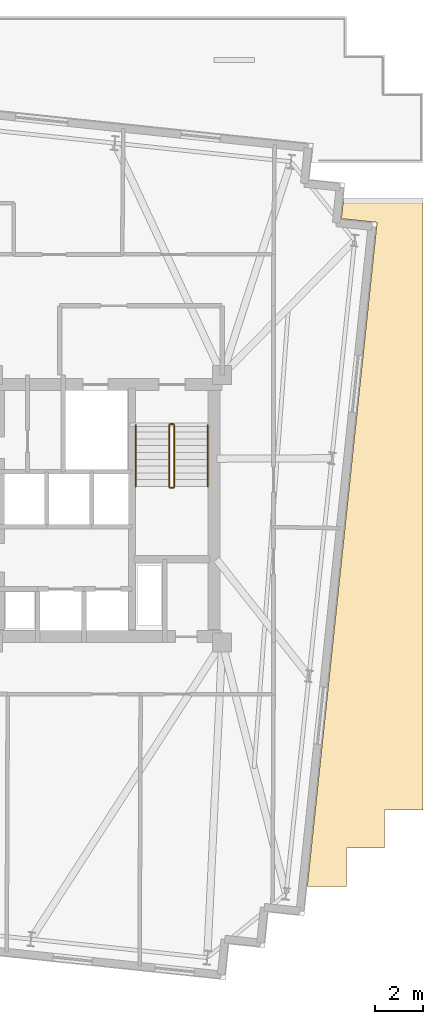
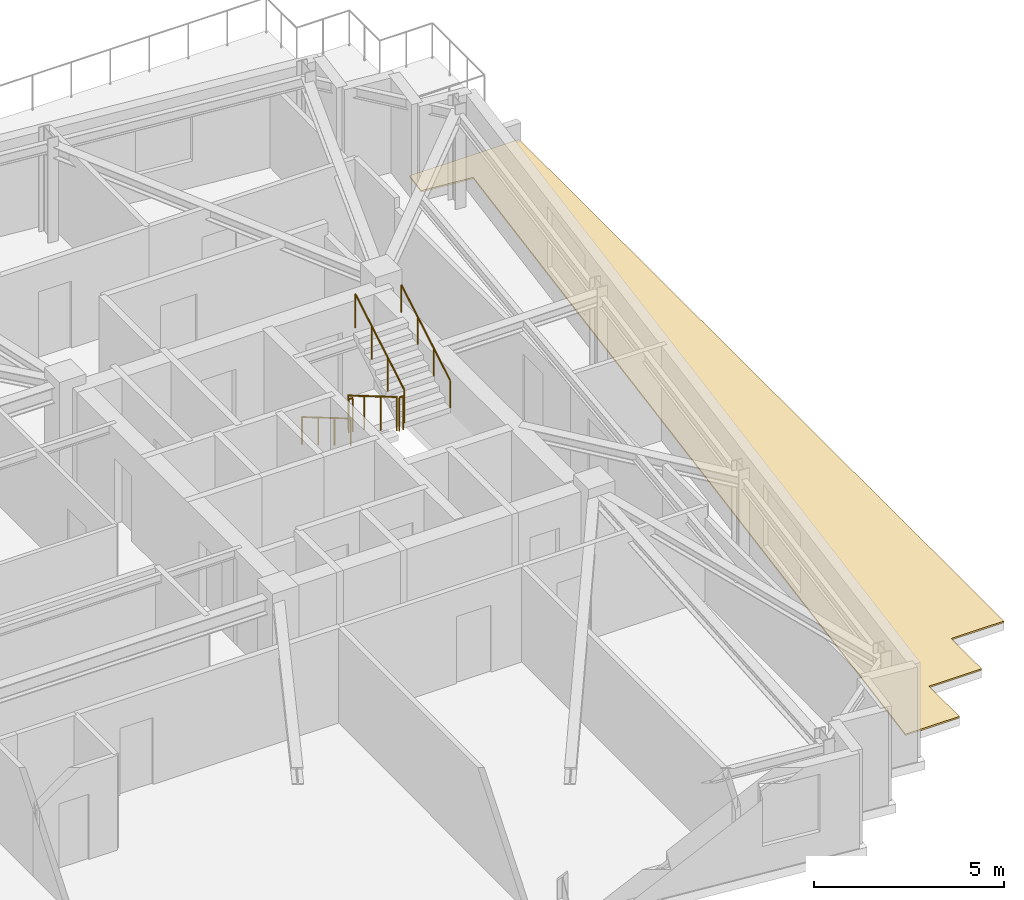
# One storey, part 12 of 13: 6 railings, 1 covering.
"""IFC4 building model written with IfcOpenShell, lengths in metres."""

from ifc_helpers import new_model, si_unit, direction, frame, origin, origin_2d, place, context, subcontext, project, spatial, polyline, circle, outline, extrude, material, layer, layer_set, type_object, element, save


model = new_model("IFC4")

# Units and contexts
model_context = context("Model", 3, precision=1e-05, world=origin(), true_north=direction((0.0, 1.0)))
body_context = subcontext(model_context, "Body", "Model", "MODEL_VIEW")
ifc_project = project(units=[si_unit("LENGTHUNIT", "METRE"), si_unit("AREAUNIT", "SQUARE_METRE"), si_unit("VOLUMEUNIT", "CUBIC_METRE"), si_unit("PLANEANGLEUNIT", "RADIAN"), si_unit("MASSUNIT", "GRAM", prefix="KILO")], contexts=[model_context])

# Site, building, storey
site_placement = place(None, origin())
site = spatial("IfcSite", under=ifc_project, at=site_placement, CompositionType="ELEMENT")
building_placement = place(site_placement, origin())
building = spatial("IfcBuilding", under=site, at=building_placement, Name="Qobustan Lattice House", CompositionType="ELEMENT")
storey_placement = place(building_placement, frame((0.0, 0.0, 179.64990234375)))
storey = spatial("IfcBuildingStorey", under=building, at=storey_placement, Name="L50", CompositionType="ELEMENT", Elevation=179.64990234375)

# Covering
ifc_material_1 = material(Name="Insulated stone-ballasted roof membrane", Category="masonry")
ifc_layer = layer(ifc_material_1, 0.050048828125)
ifc_layer_set = layer_set([ifc_layer], Name="Insulated stone-ballasted roof membrane")
covering_type = type_object("IfcCoveringType", Name="COV-ROOF-MEMB", PredefinedType="ROOFING", material=ifc_layer_set)
covering_placement = place(storey_placement, origin())
element("IfcCovering", 1, at=covering_placement, inside=storey, type_object=covering_type, Name="L50 setback roof membrane 1", PredefinedType="ROOFING", context=body_context, shape_type="SweptSolid", body=[
    extrude(outline(polyline([(27.199951171875, 12.89990234375), (23.870361328125, 12.89990234375), (23.79150390625, 12.148681640625), (25.283203125, 11.99169921875), (22.362060546875, -15.800048828125), (24.0, -15.800048828125), (24.0, -14.199951171875), (25.60009765625, -14.199951171875), (25.60009765625, -12.60009765625), (27.199951171875, -12.60009765625), (27.199951171875, 12.89990234375)])), origin(), (0.0, 0.0, 1.0), 0.050048828125),
])

# Railings
ifc_material_2 = material(Name="Brushed stainless steel handrail", Category="steel")
railing_type_1 = type_object("IfcRailingType", Name="RAL-HR-920", PredefinedType="HANDRAIL", material=ifc_material_2)
railing_1_placement = place(storey_placement, frame((15.179931640625, 3.5, 0.16748046875)))
element("IfcRailing", 2, at=railing_1_placement, inside=storey, type_object=railing_type_1, Name="L50 ST-E1 stair handrail 1", PredefinedType="HANDRAIL", context=body_context, shape_type="SweptSolid", body=[
    extrude(circle(Radius=0.02392578125, at=origin_2d()), frame((0.0, 0.0, 0.8759765625), z_axis=(0.0, -0.862113467892, 0.50671527358), x_axis=(1.0, 0.0, 0.0)), (0.0, 0.0, 1.0), 2.97509765625),
    extrude(circle(Radius=0.02099609375, at=origin_2d()), origin(), (0.0, 0.0, 1.0), 0.851806640625),
    extrude(circle(Radius=0.02099609375, at=origin_2d()), frame((0.0, -0.85498046875, 0.50244140625)), (0.0, 0.0, 1.0), 0.851806640625),
    extrude(circle(Radius=0.02099609375, at=origin_2d()), frame((0.0, -1.7099609375, 1.005126953125)), (0.0, 0.0, 1.0), 0.851806640625),
    extrude(circle(Radius=0.02099609375, at=origin_2d()), frame((0.0, -2.56494140625, 1.507568359375)), (0.0, 0.0, 1.0), 0.851806640625),
])
railing_2_placement = place(storey_placement, frame((18.199951171875, 0.93505859375, 1.842529296875)))
element("IfcRailing", 3, at=railing_2_placement, inside=storey, type_object=railing_type_1, Name="L50 ST-E1 stair handrail 2", PredefinedType="HANDRAIL", context=body_context, shape_type="SweptSolid", body=[
    extrude(circle(Radius=0.02392578125, at=origin_2d()), frame((0.0, 0.0, 0.8759765625), z_axis=(0.0, 0.862113467892, 0.50671527358), x_axis=(-1.0, 0.0, 0.0)), (0.0, 0.0, 1.0), 2.97509765625),
    extrude(circle(Radius=0.02099609375, at=origin_2d()), origin(), (0.0, 0.0, 1.0), 0.851806640625),
    extrude(circle(Radius=0.02099609375, at=origin_2d()), frame((0.0, 0.85498046875, 0.50244140625)), (0.0, 0.0, 1.0), 0.851806640625),
    extrude(circle(Radius=0.02099609375, at=origin_2d()), frame((0.0, 1.7099609375, 1.005126953125)), (0.0, 0.0, 1.0), 0.851806640625),
    extrude(circle(Radius=0.02099609375, at=origin_2d()), frame((0.0, 2.56494140625, 1.507568359375)), (0.0, 0.0, 1.0), 0.851806640625),
])
ifc_material_3 = material(Name="Painted galvanized steel guardrail", Category="steel")
railing_type_2 = type_object("IfcRailingType", Name="RAL-STG-1150", PredefinedType="GUARDRAIL", material=ifc_material_3)
railing_3_placement = place(storey_placement, frame((16.580078125, 3.5, 0.16748046875)))
element("IfcRailing", 4, at=railing_3_placement, inside=storey, type_object=railing_type_2, Name="L50 ST-E1 stair guard 1", PredefinedType="GUARDRAIL", context=body_context, shape_type="SweptSolid", body=[
    extrude(circle(Radius=0.02392578125, at=origin_2d()), frame((0.0, 0.0, 1.076171875), z_axis=(0.0, -0.862113467892, 0.50671527358), x_axis=(1.0, 0.0, 0.0)), (0.0, 0.0, 1.0), 2.97509765625),
    extrude(circle(Radius=0.02099609375, at=origin_2d()), origin(), (0.0, 0.0, 1.0), 1.052001953125),
    extrude(circle(Radius=0.02099609375, at=origin_2d()), frame((0.0, -0.85498046875, 0.50244140625)), (0.0, 0.0, 1.0), 1.052001953125),
    extrude(circle(Radius=0.02099609375, at=origin_2d()), frame((0.0, -1.7099609375, 1.005126953125)), (0.0, 0.0, 1.0), 1.052001953125),
    extrude(circle(Radius=0.02099609375, at=origin_2d()), frame((0.0, -2.56494140625, 1.507568359375)), (0.0, 0.0, 1.0), 1.052001953125),
])
railing_4_placement = place(storey_placement, frame((16.6298828125, 0.885009765625, 1.675048828125)))
element("IfcRailing", 5, at=railing_4_placement, inside=storey, type_object=railing_type_2, Name="L50 ST-E1 stair guard 2", PredefinedType="GUARDRAIL", context=body_context, shape_type="SweptSolid", body=[
    extrude(circle(Radius=0.02392578125, at=origin_2d()), frame((0.0, 0.0, 1.076171875), z_axis=(1.0, 0.0, 0.0), x_axis=(0.0, 1.0, 0.0)), (0.0, 0.0, 1.0), 0.1201171875),
    extrude(circle(Radius=0.02099609375, at=origin_2d()), origin(), (0.0, 0.0, 1.0), 1.052001953125),
    extrude(circle(Radius=0.02099609375, at=origin_2d()), frame((0.1201171875, 0.0, 0.0)), (0.0, 0.0, 1.0), 1.052001953125),
])
railing_5_placement = place(storey_placement, frame((16.800048828125, 0.93505859375, 1.842529296875)))
element("IfcRailing", 6, at=railing_5_placement, inside=storey, type_object=railing_type_2, Name="L50 ST-E1 stair guard 3", PredefinedType="GUARDRAIL", context=body_context, shape_type="SweptSolid", body=[
    extrude(circle(Radius=0.02392578125, at=origin_2d()), frame((0.0, 0.0, 1.076171875), z_axis=(0.0, 0.862113467892, 0.50671527358), x_axis=(-1.0, 0.0, 0.0)), (0.0, 0.0, 1.0), 2.97509765625),
    extrude(circle(Radius=0.02099609375, at=origin_2d()), origin(), (0.0, 0.0, 1.0), 1.052001953125),
    extrude(circle(Radius=0.02099609375, at=origin_2d()), frame((0.0, 0.85498046875, 0.50244140625)), (0.0, 0.0, 1.0), 1.052001953125),
    extrude(circle(Radius=0.02099609375, at=origin_2d()), frame((0.0, 1.7099609375, 1.005126953125)), (0.0, 0.0, 1.0), 1.052001953125),
    extrude(circle(Radius=0.02099609375, at=origin_2d()), frame((0.0, 2.56494140625, 1.507568359375)), (0.0, 0.0, 1.0), 1.052001953125),
])
railing_6_placement = place(storey_placement, frame((16.6298828125, 3.550048828125, 0.0)))
element("IfcRailing", 7, at=railing_6_placement, inside=storey, type_object=railing_type_2, Name="L50 ST-E1 stair guard 4", PredefinedType="GUARDRAIL", context=body_context, shape_type="SweptSolid", body=[
    extrude(circle(Radius=0.02392578125, at=origin_2d()), frame((0.0, 0.0, 1.076171875), z_axis=(1.0, 0.0, 0.0), x_axis=(0.0, 1.0, 0.0)), (0.0, 0.0, 1.0), 0.1201171875),
    extrude(circle(Radius=0.02099609375, at=origin_2d()), origin(), (0.0, 0.0, 1.0), 1.052001953125),
    extrude(circle(Radius=0.02099609375, at=origin_2d()), frame((0.1201171875, 0.0, 0.0)), (0.0, 0.0, 1.0), 1.052001953125),
])

save(model, "model.ifc")
